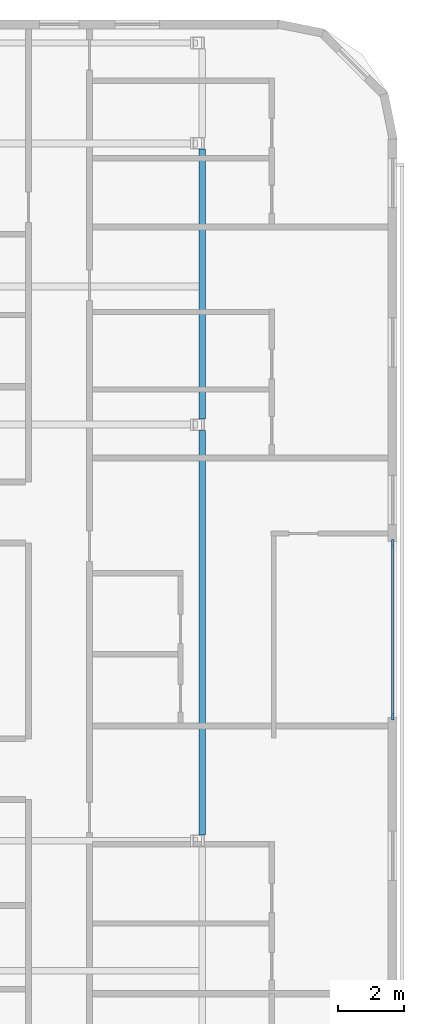
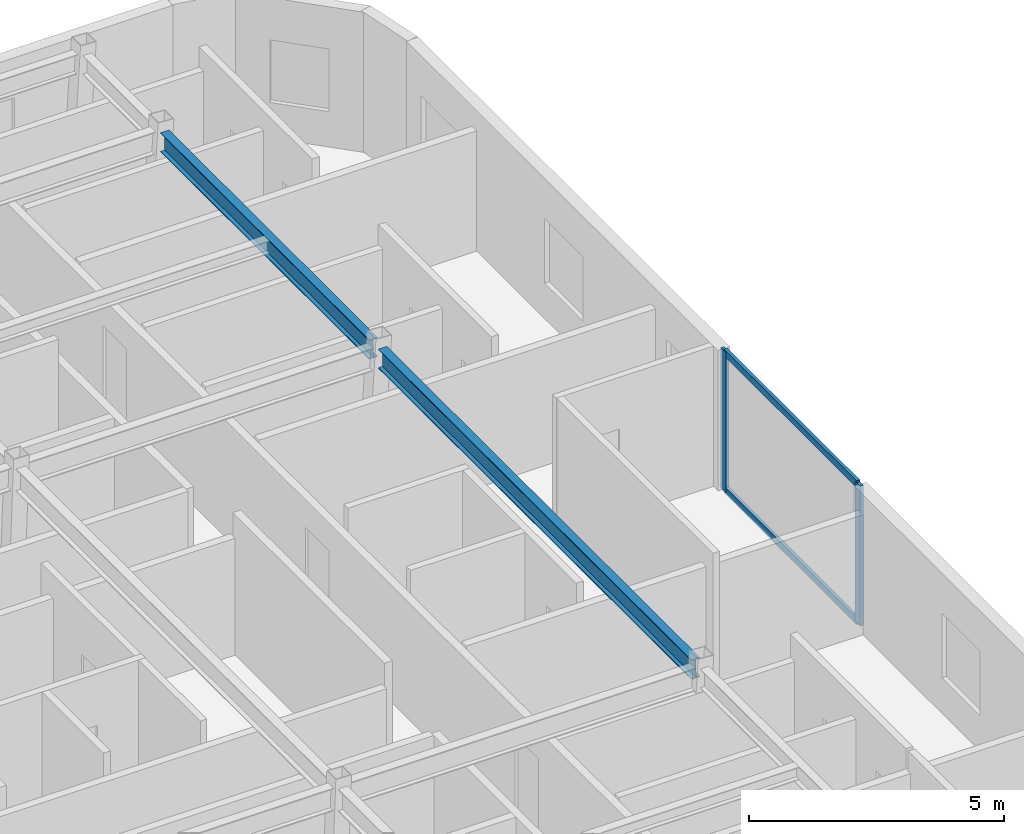
# One storey, part 2 of 10: 4 members, 2 beams, 1 element without a shape of its own.
"""IFC4 building model written with IfcOpenShell, lengths in metres."""

from ifc_helpers import new_model, si_unit, direction, frame, origin, origin_2d, place, context, subcontext, project, spatial, rectangle, i_section, extrude, material, layer, layer_set, material_profile, profile_set, type_object, element, aggregate, save


model = new_model("IFC4")

# Units and contexts
model_context = context("Model", 3, precision=1e-05, world=origin(), true_north=direction((0.0, 1.0)))
body_context = subcontext(model_context, "Body", "Model", "MODEL_VIEW")
ifc_project = project(units=[si_unit("LENGTHUNIT", "METRE"), si_unit("AREAUNIT", "SQUARE_METRE"), si_unit("VOLUMEUNIT", "CUBIC_METRE"), si_unit("PLANEANGLEUNIT", "RADIAN"), si_unit("MASSUNIT", "GRAM", prefix="KILO")], contexts=[model_context])

# Site, building, storey
site_placement = place(None, origin())
site = spatial("IfcSite", under=ifc_project, at=site_placement, CompositionType="ELEMENT")
building_placement = place(site_placement, origin())
building = spatial("IfcBuilding", under=site, at=building_placement, Name="Ochreholt Gables", CompositionType="ELEMENT")
storey_placement = place(building_placement, frame((0.0, 0.0, 235.199951171875)))
storey = spatial("IfcBuildingStorey", under=building, at=storey_placement, Name="L61", CompositionType="ELEMENT", Elevation=235.199951171875)

# Beams
ifc_material_1 = material(Name="Steel CSA G40.21 350W", Category="steel")
ifc_material_profile_1 = material_profile(ifc_material_1, i_section(OverallWidth=0.19189453125, OverallDepth=0.462890625, WebThickness=0.010498046875, FlangeThickness=0.017578125, at=origin_2d()), Name="W460X89")
ifc_profile_set_1 = profile_set([ifc_material_profile_1], Name="Steel CSA G40.21 350W")
beam_type = type_object("IfcBeamType", Name="BM-SP-W460A", PredefinedType="SPANDREL", material=ifc_profile_set_1)
beam_1_placement = place(storey_placement, frame((56.478759765625, 17.7275390625, 3.128662109375), z_axis=(0.0, 1.0, 0.0), x_axis=(-1.0, 0.0, 0.0)))
element("IfcBeam", 1, at=beam_1_placement, inside=storey, type_object=beam_type, Name="L61 Beam TBN-L61-EE-Y3Y4", PredefinedType="SPANDREL", context=body_context, shape_type="SweptSolid", body=[
    extrude(i_section(OverallWidth=0.19189453125, OverallDepth=0.462890625, WebThickness=0.010498046875, FlangeThickness=0.017578125, at=origin_2d()), origin(), (0.0, 0.0, 1.0), 12.294921875),
])
beam_2_placement = place(storey_placement, frame((56.478759765625, 30.377685546875, 3.128662109375), z_axis=(0.0, 1.0, 0.0), x_axis=(-1.0, 0.0, 0.0)))
element("IfcBeam", 2, at=beam_2_placement, inside=storey, type_object=beam_type, Name="L61 Beam TBN-L61-EE-Y4Y5", PredefinedType="SPANDREL", context=body_context, shape_type="SweptSolid", body=[
    extrude(i_section(OverallWidth=0.19189453125, OverallDepth=0.462890625, WebThickness=0.010498046875, FlangeThickness=0.017578125, at=origin_2d()), origin(), (0.0, 0.0, 1.0), 8.19482421875),
])

# Curtain wall, members
ifc_material_2 = material(Name="Unitised Aluminium and Triple Glazing", Category="aluminium")
ifc_layer = layer(ifc_material_2, 0.2099609375, Name="Unitised Aluminium and Triple Glazing")
ifc_layer_set = layer_set([ifc_layer], Name="Unitised Aluminium and Triple Glazing")
curtain_wall_type = type_object("IfcCurtainWallType", Name="CW-SYS5", PredefinedType="NOTDEFINED", material=ifc_layer_set)
curtain_wall_placement = place(storey_placement, origin())
curtain_wall = element("IfcCurtainWall", 3, at=curtain_wall_placement, inside=storey, type_object=curtain_wall_type, Name="L61 East Unitised Curtain Wall", PredefinedType="NOTDEFINED")
ifc_material_3 = material(Name="Anodized Aluminium 6063-T6", Category="aluminium")
ifc_material_profile_2 = material_profile(ifc_material_3, rectangle(XDim=0.074951171875, YDim=0.199951171875, at=origin_2d()), Name="CWM75X200")
ifc_profile_set_2 = profile_set([ifc_material_profile_2], Name="Anodized Aluminium 6063-T6")
member_type_1 = type_object("IfcMemberType", Name="CW-MUL-A", PredefinedType="MULLION", material=ifc_profile_set_2)
member_1_placement = place(storey_placement, frame((62.264892578125, 21.327392578125, 0.0), z_axis=(0.0, 0.0, 1.0), x_axis=(-1.0, 0.0, 0.0)))
member_1 = element("IfcMember", 4, at=member_1_placement, type_object=member_type_1, Name="CW-5 mullion 1", PredefinedType="MULLION", context=body_context, shape_type="SweptSolid", body=[
    extrude(rectangle(XDim=0.074951171875, YDim=0.199951171875, at=origin_2d()), origin(), (0.0, 0.0, 1.0), 3.360107421875),
])
member_2_placement = place(storey_placement, frame((62.264892578125, 26.6025390625, 0.0), z_axis=(0.0, 0.0, 1.0), x_axis=(-1.0, 0.0, 0.0)))
member_2 = element("IfcMember", 5, at=member_2_placement, type_object=member_type_1, Name="CW-5 mullion 2", PredefinedType="MULLION", context=body_context, shape_type="SweptSolid", body=[
    extrude(rectangle(XDim=0.074951171875, YDim=0.199951171875, at=origin_2d()), origin(), (0.0, 0.0, 1.0), 3.360107421875),
])
ifc_material_profile_3 = material_profile(ifc_material_3, rectangle(XDim=0.074951171875, YDim=0.159912109375, at=origin_2d()), Name="CWT75X160")
ifc_profile_set_3 = profile_set([ifc_material_profile_3], Name="Anodized Aluminium 6063-T6")
member_type_2 = type_object("IfcMemberType", Name="CW-TRN-A", PredefinedType="USERDEFINED", material=ifc_profile_set_3)
member_3_placement = place(storey_placement, frame((62.264892578125, 21.364990234375, 0.03759765625), z_axis=(0.0, 1.0, 0.0), x_axis=(-1.0, 0.0, 0.0)))
member_3 = element("IfcMember", 6, at=member_3_placement, type_object=member_type_2, Name="CW-5 transom 1.1", ObjectType="TRANSOM", PredefinedType="USERDEFINED", context=body_context, shape_type="SweptSolid", body=[
    extrude(rectangle(XDim=0.074951171875, YDim=0.159912109375, at=origin_2d()), origin(), (0.0, 0.0, 1.0), 5.199951171875),
])
member_4_placement = place(storey_placement, frame((62.264892578125, 21.364990234375, 3.322509765625), z_axis=(0.0, 1.0, 0.0), x_axis=(-1.0, 0.0, 0.0)))
member_4 = element("IfcMember", 7, at=member_4_placement, type_object=member_type_2, Name="CW-5 transom 1.2", ObjectType="TRANSOM", PredefinedType="USERDEFINED", context=body_context, shape_type="SweptSolid", body=[
    extrude(rectangle(XDim=0.074951171875, YDim=0.159912109375, at=origin_2d()), origin(), (0.0, 0.0, 1.0), 5.199951171875),
])
aggregate(curtain_wall, [member_1, member_2, member_3, member_4])

save(model, "model.ifc")
